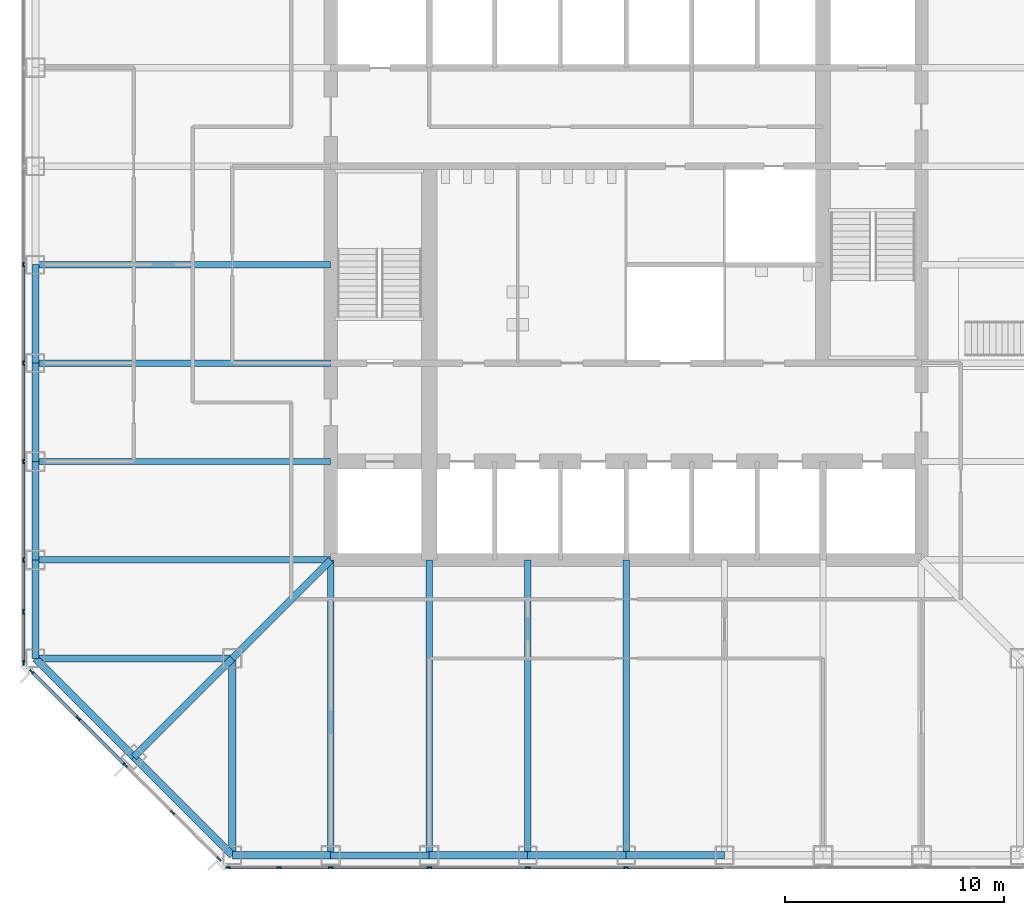
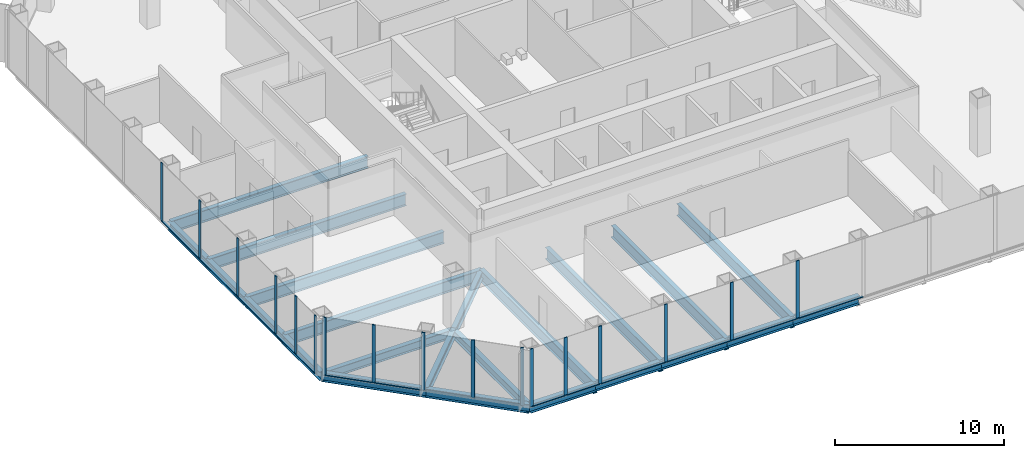
# One storey, part 2 of 12: 30 members, 23 beams, 3 elements without a shape of their own.
"""IFC4 building model written with IfcOpenShell, lengths in metres."""

import ifcopenshell
import ifcopenshell.guid

model = None  # the IFC model being written
_history = None  # IfcOwnerHistory: only IFC2X3 demands one
_inside = {}  # id of a spatial element -> (the spatial element, [elements in it])
_under = {}  # id of a project, library or spatial element -> (it, [spatial elements below it])
_declared = {}  # id of a project -> (the project, [libraries it declares])
_typed = {}  # id of a type object -> (the type object, [elements of that type])
_made_of = {}  # id of a material, layer set ... -> (it, [elements and type objects made of it])


def new_model(schema):
    """Start an empty IFC model of exactly this schema.

    Asked for "IFC4X3", IfcOpenShell would pick the latest addendum, in which some entities
    have other attributes; the version numbers below select the first issue.
    IFC2X3 requires an IfcOwnerHistory on every rooted entity: one is made here for all.
    """
    global model, _history
    if schema == "IFC4X3":
        model = ifcopenshell.file(schema_version=(4, 3, 0, 0))
    else:
        model = ifcopenshell.file(schema=schema)
    _inside.clear()
    _under.clear()
    _declared.clear()
    _typed.clear()
    _made_of.clear()
    _history = None
    if model.schema == "IFC2X3":
        org = make("IfcOrganization", Name="unknown")
        user = make(
            "IfcPersonAndOrganization",
            ThePerson=make("IfcPerson", FamilyName="unknown"),
            TheOrganization=org,
        )
        app = make(
            "IfcApplication",
            ApplicationDeveloper=org,
            Version="unknown",
            ApplicationFullName="unknown",
            ApplicationIdentifier="unknown",
        )
        _history = make(
            "IfcOwnerHistory",
            OwningUser=user,
            OwningApplication=app,
            ChangeAction="ADDED",
            CreationDate=0,
        )
    return model


def make(cls, **values):
    """One entity of the class cls with the attributes given. An attribute that is None is left unset."""
    return model.create_entity(
        cls, **{name: value for name, value in values.items() if value is not None}
    )


def rooted(cls, **values):
    """An entity with a GlobalId (a new one), such as an element, a storey or a relation."""
    return make(cls, GlobalId=ifcopenshell.guid.new(), OwnerHistory=_history, **values)


def si_unit(unit_type, name, prefix=None):
    """IfcSIUnit, for example si_unit("LENGTHUNIT", "METRE", prefix="MILLI")."""
    return make("IfcSIUnit", UnitType=unit_type, Prefix=prefix, Name=name)


def assignment(units):
    """IfcUnitAssignment: the units of a project."""
    return None if units is None else make("IfcUnitAssignment", Units=units)


def point(xyz):
    """IfcCartesianPoint."""
    return None if xyz is None else make("IfcCartesianPoint", Coordinates=xyz)


def direction(xyz):
    """IfcDirection."""
    return None if xyz is None else make("IfcDirection", DirectionRatios=xyz)


def frame(location, z_axis=None, x_axis=None):
    """IfcAxis2Placement3D, a coordinate frame: its origin and axes. An axis left out is left unset."""
    return make(
        "IfcAxis2Placement3D",
        Location=point(location),
        Axis=direction(z_axis),
        RefDirection=direction(x_axis),
    )


def frame_2d(location, x_axis=None):
    """IfcAxis2Placement2D, a coordinate frame in the plane: its origin and x axis."""
    return make(
        "IfcAxis2Placement2D", Location=point(location), RefDirection=direction(x_axis)
    )


def origin():
    """The frame at (0, 0, 0) with its axes left unset."""
    return frame((0.0, 0.0, 0.0))


def origin_2d():
    """The frame at (0, 0) in the plane with its x axis left unset."""
    return frame_2d((0.0, 0.0))


def place(relative_to, where):
    """IfcLocalPlacement: puts the frame where relative to a parent placement (None: the world)."""
    return make(
        "IfcLocalPlacement", PlacementRelTo=relative_to, RelativePlacement=where
    )


def context(
    kind, dimensions, precision=None, world=None, true_north=None, identifier=None
):
    """IfcGeometricRepresentationContext, for example the 3D "Model" context."""
    return make(
        "IfcGeometricRepresentationContext",
        ContextIdentifier=identifier,
        ContextType=kind,
        CoordinateSpaceDimension=dimensions,
        Precision=precision,
        WorldCoordinateSystem=world,
        TrueNorth=true_north,
    )


def subcontext(parent, identifier, kind, view, scale=None):
    """IfcGeometricRepresentationSubContext, for example "Body" below "Model"."""
    return make(
        "IfcGeometricRepresentationSubContext",
        ContextIdentifier=identifier,
        ContextType=kind,
        ParentContext=parent,
        TargetScale=scale,
        TargetView=view,
    )


def project(units=None, contexts=None):
    """IfcProject with its units and contexts."""
    return rooted(
        "IfcProject",
        Name="project",
        RepresentationContexts=contexts,
        UnitsInContext=assignment(units),
    )


def spatial(cls, under=None, at=None, **own):
    """A site, building, storey or space (cls), placed at a placement, below another one or the project."""
    s = rooted(cls, ObjectPlacement=at, **own)
    if under is not None:
        _under.setdefault(under.id(), (under, []))[1].append(s)
    return s


def profile(cls, at=None, kind="AREA", **sizes):
    """A parametric profile (cls). Its sizes go by their IFC names, for example OverallWidth=200.0."""
    return make(cls, ProfileType=kind, Position=at, **sizes)


def rectangle(**sizes):
    """IfcRectangleProfileDef."""
    return profile("IfcRectangleProfileDef", **sizes)


def i_section(**sizes):
    """IfcIShapeProfileDef."""
    return profile("IfcIShapeProfileDef", **sizes)


def extrude(swept, where, along, depth):
    """IfcExtrudedAreaSolid: the profile swept, set in the frame where, extruded along a direction by depth."""
    return make(
        "IfcExtrudedAreaSolid",
        SweptArea=swept,
        Position=where,
        ExtrudedDirection=direction(along),
        Depth=depth,
    )


def shape(context_of_items, identifier, shape_type, items):
    """IfcShapeRepresentation: the items that make up one representation, for example the "Body"."""
    return make(
        "IfcShapeRepresentation",
        ContextOfItems=context_of_items,
        RepresentationIdentifier=identifier,
        RepresentationType=shape_type,
        Items=items,
    )


def material(Name=None, Category=None):
    """IfcMaterial."""
    return make("IfcMaterial", Name=Name, Category=Category)


def material_profile(
    of_material, cross_section, Name=None, Category=None, Priority=None
):
    """IfcMaterialProfile: a cross section and its material."""
    return make(
        "IfcMaterialProfile",
        Name=Name,
        Material=of_material,
        Profile=cross_section,
        Priority=Priority,
        Category=Category,
    )


def profile_set(profiles, Name=None, composite=None):
    """IfcMaterialProfileSet."""
    return make(
        "IfcMaterialProfileSet",
        Name=Name,
        MaterialProfiles=profiles,
        CompositeProfile=composite,
    )


def made_of(thing, what):
    """Note that an element or type object is made of a material, layer set ...; save() writes the relation."""
    if what is not None:
        _made_of.setdefault(what.id(), (what, []))[1].append(thing)
    return thing


def type_object(cls, material=None, **own):
    """A type object (cls), such as IfcWallType, which elements share."""
    return made_of(rooted(cls, **own), material)


def element(
    cls,
    number,
    at=None,
    inside=None,
    cuts=None,
    type_object=None,
    material=None,
    context=None,
    identifier="Body",
    shape_type=None,
    held_by="IfcProductDefinitionShape",
    body=None,
    shapes=None,
    **own,
):
    """One element of the class cls, such as IfcWall. Its Tag is "e" and its number.

    at: its placement. inside: the storey or other place that contains it. cuts: it is an
    opening in that element (IfcRelVoidsElement). A single representation is given by context,
    identifier, shape_type and body (its items); several are given by shapes. held_by: the class
    of the entity that holds the representations. save() writes the other relations.
    """
    e = rooted(cls, Tag="e%d" % number, ObjectPlacement=at, **own)
    if body is not None:
        shapes = [shape(context, identifier, shape_type, body)]
    if shapes is not None:
        e.Representation = make(held_by, Representations=shapes)
    if inside is not None:
        _inside.setdefault(inside.id(), (inside, []))[1].append(e)
    if cuts is not None:
        rooted(
            "IfcRelVoidsElement", RelatingBuildingElement=cuts, RelatedOpeningElement=e
        )
    if type_object is not None:
        _typed.setdefault(type_object.id(), (type_object, []))[1].append(e)
    return made_of(e, material)


def aggregate(whole, parts):
    """IfcRelAggregates: a whole, such as a stair, and the parts it consists of."""
    return rooted("IfcRelAggregates", RelatingObject=whole, RelatedObjects=parts)


def save(model, path):
    """Write the relations noted so far, then the file.

    IfcRelAggregates (storeys below a building ...), IfcRelContainedInSpatialStructure (elements
    in a storey), IfcRelDefinesByType, IfcRelAssociatesMaterial and IfcRelDeclares: one each for
    every whole, place, type object, material and project.
    """
    for whole, parts in _under.values():
        aggregate(whole, parts)
    for where, things in _inside.values():
        rooted(
            "IfcRelContainedInSpatialStructure",
            RelatedElements=things,
            RelatingStructure=where,
        )
    for kind, things in _typed.values():
        rooted("IfcRelDefinesByType", RelatedObjects=things, RelatingType=kind)
    for what, things in _made_of.values():
        rooted("IfcRelAssociatesMaterial", RelatedObjects=things, RelatingMaterial=what)
    for by, libraries in _declared.values():
        rooted("IfcRelDeclares", RelatingContext=by, RelatedDefinitions=libraries)
    model.write(path)


model = new_model("IFC4")

# Units and contexts
model_context = context("Model", 3, precision=1e-05, world=origin(), true_north=direction((0.0, 1.0)))
body_context = subcontext(model_context, "Body", "Model", "MODEL_VIEW")
ifc_project = project(units=[si_unit("LENGTHUNIT", "METRE"), si_unit("AREAUNIT", "SQUARE_METRE"), si_unit("VOLUMEUNIT", "CUBIC_METRE"), si_unit("PLANEANGLEUNIT", "RADIAN"), si_unit("MASSUNIT", "GRAM", prefix="KILO")], contexts=[model_context])

# Site, building, storey
site_placement = place(None, origin())
site = spatial("IfcSite", under=ifc_project, at=site_placement, CompositionType="ELEMENT")
building_placement = place(site_placement, origin())
building = spatial("IfcBuilding", under=site, at=building_placement, Name="Corais Broadcast Tower", CompositionType="ELEMENT")
storey_placement = place(building_placement, frame((0.0, 0.0, 29.0)))
storey = spatial("IfcBuildingStorey", under=building, at=storey_placement, Name="L05", CompositionType="ELEMENT", Elevation=29.0)

# Beams
ifc_material_1 = material(Name="Steel ASTM A572 Grade 50", Category="steel")
ifc_material_profile_1 = material_profile(ifc_material_1, i_section(OverallWidth=0.323974609375, OverallDepth=0.611083984375, WebThickness=0.0126953125, FlangeThickness=0.01904296875, at=origin_2d()), Name="W610x155")
ifc_profile_set_1 = profile_set([ifc_material_profile_1], Name="Steel ASTM A572 Grade 50")
beam_type_1 = type_object("IfcBeamType", Name="Chamfer tie W610x155", PredefinedType="BEAM", material=ifc_profile_set_1)
beam_1_placement = place(storey_placement, frame((4.5, 4.5, -0.465576171875), z_axis=(0.707106781187, 0.707106781187, 0.0), x_axis=(-0.707106781187, 0.707106781187, 0.0)))
element("IfcBeam", 1, at=beam_1_placement, inside=storey, type_object=beam_type_1, Name="B5 B/4 to C/5", PredefinedType="BEAM", context=body_context, shape_type="SweptSolid", body=[
    extrude(i_section(OverallWidth=0.323974609375, OverallDepth=0.611083984375, WebThickness=0.0126953125, FlangeThickness=0.01904296875, at=origin_2d()), origin(), (0.0, 0.0, 1.0), 6.364013671875),
])
ifc_material_2 = material(Name="Steel ASTM A572 Grade 50", Category="steel")
ifc_material_profile_2 = material_profile(ifc_material_2, i_section(OverallWidth=0.323974609375, OverallDepth=0.611083984375, WebThickness=0.0126953125, FlangeThickness=0.01904296875, at=origin_2d()), Name="W610x155")
ifc_profile_set_2 = profile_set([ifc_material_profile_2], Name="Steel ASTM A572 Grade 50")
beam_type_2 = type_object("IfcBeamType", Name="Corner diagonal W610x155", PredefinedType="BEAM", material=ifc_profile_set_2)
beam_2_placement = place(storey_placement, frame((9.0, 9.0, -0.465576171875), z_axis=(0.707106781187, 0.707106781187, 0.0), x_axis=(-0.707106781187, 0.707106781187, 0.0)))
element("IfcBeam", 2, at=beam_2_placement, inside=storey, type_object=beam_type_2, Name="B6 C/5 to D/6", PredefinedType="BEAM", context=body_context, shape_type="SweptSolid", body=[
    extrude(i_section(OverallWidth=0.323974609375, OverallDepth=0.611083984375, WebThickness=0.0126953125, FlangeThickness=0.01904296875, at=origin_2d()), origin(), (0.0, 0.0, 1.0), 6.364013671875),
])
ifc_material_3 = material(Name="Steel ASTM A572 Grade 50", Category="steel")
ifc_material_profile_3 = material_profile(ifc_material_3, i_section(OverallWidth=0.323974609375, OverallDepth=0.611083984375, WebThickness=0.0126953125, FlangeThickness=0.01904296875, at=origin_2d()), Name="W610x155")
ifc_profile_set_3 = profile_set([ifc_material_profile_3], Name="Steel ASTM A572 Grade 50")
beam_type_3 = type_object("IfcBeamType", Name="Corner girder W610x155", PredefinedType="BEAM", material=ifc_profile_set_3)
for number, where, z_axis, x_axis, name in (
    (3, (0.0, 9.0, -0.465576171875), (1.0, 0.0, 0.0), (0.0, 1.0, 0.0), "B4 C/3 to C/5"),
    (4, (9.0, 0.0, -0.465576171875), (0.0, 1.0, 0.0), (-1.0, 0.0, 0.0), "B4 A/5 to C/5"),
):
    element("IfcBeam", number, at=place(storey_placement, frame(where, z_axis=z_axis, x_axis=x_axis)), inside=storey, type_object=beam_type_3, Name=name, PredefinedType="BEAM", context=body_context, shape_type="SweptSolid", body=[
        extrude(i_section(OverallWidth=0.323974609375, OverallDepth=0.611083984375, WebThickness=0.0126953125, FlangeThickness=0.01904296875, at=origin_2d()), origin(), (0.0, 0.0, 1.0), 9.0),
    ])
ifc_material_4 = material(Name="Steel ASTM A572 Grade 50", Category="steel")
ifc_material_profile_4 = material_profile(ifc_material_4, i_section(OverallWidth=0.2939453125, OverallDepth=0.85107421875, WebThickness=0.01611328125, FlangeThickness=0.02685546875, at=origin_2d()), Name="W840x226")
ifc_profile_set_4 = profile_set([ifc_material_profile_4], Name="Steel ASTM A572 Grade 50")
beam_type_4 = type_object("IfcBeamType", Name="Floor beam W840x226", PredefinedType="BEAM", material=ifc_profile_set_4)
for number, where, z_axis, x_axis, name in (
    (5, (0.0, 13.5, -0.58544921875), (1.0, 0.0, 0.0), (0.0, 1.0, 0.0), "B1 D/3 to D/6"),
    (6, (0.0, 18.0, -0.58544921875), (1.0, 0.0, 0.0), (0.0, 1.0, 0.0), "B1 E/3 to E/6"),
    (7, (0.0, 22.5, -0.58544921875), (1.0, 0.0, 0.0), (0.0, 1.0, 0.0), "B1 F/3 to F/6"),
    (8, (0.0, 27.0, -0.58544921875), (1.0, 0.0, 0.0), (0.0, 1.0, 0.0), "B1 G/3 to G/6"),
    (9, (13.5, 0.0, -0.58544921875), (0.0, 1.0, 0.0), (-1.0, 0.0, 0.0), "B1 A/6 to D/6"),
    (10, (18.0, 0.0, -0.58544921875), (0.0, 1.0, 0.0), (-1.0, 0.0, 0.0), "B1 A/7 to D/7"),
    (11, (22.5, 0.0, -0.58544921875), (0.0, 1.0, 0.0), (-1.0, 0.0, 0.0), "B1 A/8 to D/8"),
    (12, (27.0, 0.0, -0.58544921875), (0.0, 1.0, 0.0), (-1.0, 0.0, 0.0), "B1 A/9 to D/9"),
):
    element("IfcBeam", number, at=place(storey_placement, frame(where, z_axis=z_axis, x_axis=x_axis)), inside=storey, type_object=beam_type_4, Name=name, PredefinedType="BEAM", context=body_context, shape_type="SweptSolid", body=[
        extrude(i_section(OverallWidth=0.2939453125, OverallDepth=0.85107421875, WebThickness=0.01611328125, FlangeThickness=0.02685546875, at=origin_2d()), origin(), (0.0, 0.0, 1.0), 13.5),
    ])

# Curtain wall, members
ifc_material_5 = material(Name="Aluminium and glass", Category="aluminium")
curtain_wall_type = type_object("IfcCurtainWallType", Name="Newsroom clear-glass curtain wall CW7", PredefinedType="NOTDEFINED", material=ifc_material_5)
curtain_wall_1_placement = place(storey_placement, origin())
curtain_wall_1 = element("IfcCurtainWall", 13, at=curtain_wall_1_placement, inside=storey, type_object=curtain_wall_type, Name="CW7 curtain wall L05 1", PredefinedType="NOTDEFINED")
ifc_material_6 = material(Name="Aluminium 6063-T6", Category="aluminium")
ifc_material_profile_5 = material_profile(ifc_material_6, rectangle(XDim=0.06494140625, YDim=0.219970703125, at=origin_2d()), Name="Mullion CW7 65x220")
ifc_profile_set_5 = profile_set([ifc_material_profile_5], Name="Aluminium 6063-T6")
member_type_1 = type_object("IfcMemberType", Name="Mullion CW7 65x220", PredefinedType="MULLION", material=ifc_profile_set_5)
member_1_placement = place(storey_placement, frame((8.3955078125, -0.17333984375, 0.0), z_axis=(0.0, 0.0, 1.0), x_axis=(-0.707106781187, -0.707106781187, 0.0)))
member_1 = element("IfcMember", 14, at=member_1_placement, type_object=member_type_1, Name="CW7 mullion 1", PredefinedType="MULLION", context=body_context, shape_type="SweptSolid", body=[
    extrude(rectangle(XDim=0.06494140625, YDim=0.219970703125, at=origin_2d()), origin(), (0.0, 0.0, 1.0), 4.199951171875),
])
member_2_placement = place(storey_placement, frame((6.264892578125, 1.957275390625, 0.0), z_axis=(0.0, 0.0, 1.0), x_axis=(-0.707106781187, -0.707106781187, 0.0)))
member_2 = element("IfcMember", 15, at=member_2_placement, type_object=member_type_1, Name="CW7 mullion 2", PredefinedType="MULLION", context=body_context, shape_type="SweptSolid", body=[
    extrude(rectangle(XDim=0.06494140625, YDim=0.219970703125, at=origin_2d()), origin(), (0.0, 0.0, 1.0), 4.199951171875),
])
member_3_placement = place(storey_placement, frame((4.111083984375, 4.111083984375, 0.0), z_axis=(0.0, 0.0, 1.0), x_axis=(-0.707106781187, -0.707106781187, 0.0)))
member_3 = element("IfcMember", 16, at=member_3_placement, type_object=member_type_1, Name="CW7 mullion 3", PredefinedType="MULLION", context=body_context, shape_type="SweptSolid", body=[
    extrude(rectangle(XDim=0.06494140625, YDim=0.219970703125, at=origin_2d()), origin(), (0.0, 0.0, 1.0), 4.199951171875),
])
member_4_placement = place(storey_placement, frame((1.957275390625, 6.264892578125, 0.0), z_axis=(0.0, 0.0, 1.0), x_axis=(-0.707106781187, -0.707106781187, 0.0)))
member_4 = element("IfcMember", 17, at=member_4_placement, type_object=member_type_1, Name="CW7 mullion 4", PredefinedType="MULLION", context=body_context, shape_type="SweptSolid", body=[
    extrude(rectangle(XDim=0.06494140625, YDim=0.219970703125, at=origin_2d()), origin(), (0.0, 0.0, 1.0), 4.199951171875),
])
member_5_placement = place(storey_placement, frame((-0.17333984375, 8.3955078125, 0.0), z_axis=(0.0, 0.0, 1.0), x_axis=(-0.707106781187, -0.707106781187, 0.0)))
member_5 = element("IfcMember", 18, at=member_5_placement, type_object=member_type_1, Name="CW7 mullion 5", PredefinedType="MULLION", context=body_context, shape_type="SweptSolid", body=[
    extrude(rectangle(XDim=0.06494140625, YDim=0.219970703125, at=origin_2d()), origin(), (0.0, 0.0, 1.0), 4.199951171875),
])

curtain_wall_2_placement = place(storey_placement, origin())
curtain_wall_2 = element("IfcCurtainWall", 19, at=curtain_wall_2_placement, inside=storey, type_object=curtain_wall_type, Name="CW7 curtain wall L05 2", PredefinedType="NOTDEFINED")
member_6_placement = place(storey_placement, frame((-0.550048828125, 8.8046875, 0.0), z_axis=(0.0, 0.0, 1.0), x_axis=(-1.0, 0.0, 0.0)))
member_6 = element("IfcMember", 20, at=member_6_placement, type_object=member_type_1, Name="CW7 mullion 1", PredefinedType="MULLION", context=body_context, shape_type="SweptSolid", body=[
    extrude(rectangle(XDim=0.06494140625, YDim=0.219970703125, at=origin_2d()), origin(), (0.0, 0.0, 1.0), 4.199951171875),
])
member_7_placement = place(storey_placement, frame((-0.550048828125, 11.135986328125, 0.0), z_axis=(0.0, 0.0, 1.0), x_axis=(-1.0, 0.0, 0.0)))
member_7 = element("IfcMember", 21, at=member_7_placement, type_object=member_type_1, Name="CW7 mullion 2", PredefinedType="MULLION", context=body_context, shape_type="SweptSolid", body=[
    extrude(rectangle(XDim=0.06494140625, YDim=0.219970703125, at=origin_2d()), origin(), (0.0, 0.0, 1.0), 4.199951171875),
])
member_8_placement = place(storey_placement, frame((-0.550048828125, 13.5, 0.0), z_axis=(0.0, 0.0, 1.0), x_axis=(-1.0, 0.0, 0.0)))
member_8 = element("IfcMember", 22, at=member_8_placement, type_object=member_type_1, Name="CW7 mullion 3", PredefinedType="MULLION", context=body_context, shape_type="SweptSolid", body=[
    extrude(rectangle(XDim=0.06494140625, YDim=0.219970703125, at=origin_2d()), origin(), (0.0, 0.0, 1.0), 4.199951171875),
])
member_9_placement = place(storey_placement, frame((-0.550048828125, 18.0, 0.0), z_axis=(0.0, 0.0, 1.0), x_axis=(-1.0, 0.0, 0.0)))
member_9 = element("IfcMember", 23, at=member_9_placement, type_object=member_type_1, Name="CW7 mullion 4", PredefinedType="MULLION", context=body_context, shape_type="SweptSolid", body=[
    extrude(rectangle(XDim=0.06494140625, YDim=0.219970703125, at=origin_2d()), origin(), (0.0, 0.0, 1.0), 4.199951171875),
])
member_10_placement = place(storey_placement, frame((-0.550048828125, 22.5, 0.0), z_axis=(0.0, 0.0, 1.0), x_axis=(-1.0, 0.0, 0.0)))
member_10 = element("IfcMember", 24, at=member_10_placement, type_object=member_type_1, Name="CW7 mullion 5", PredefinedType="MULLION", context=body_context, shape_type="SweptSolid", body=[
    extrude(rectangle(XDim=0.06494140625, YDim=0.219970703125, at=origin_2d()), origin(), (0.0, 0.0, 1.0), 4.199951171875),
])
member_11_placement = place(storey_placement, frame((-0.550048828125, 27.0, 0.0), z_axis=(0.0, 0.0, 1.0), x_axis=(-1.0, 0.0, 0.0)))
member_11 = element("IfcMember", 25, at=member_11_placement, type_object=member_type_1, Name="CW7 mullion 6", PredefinedType="MULLION", context=body_context, shape_type="SweptSolid", body=[
    extrude(rectangle(XDim=0.06494140625, YDim=0.219970703125, at=origin_2d()), origin(), (0.0, 0.0, 1.0), 4.199951171875),
])

curtain_wall_3_placement = place(storey_placement, origin())
curtain_wall_3 = element("IfcCurtainWall", 26, at=curtain_wall_3_placement, inside=storey, type_object=curtain_wall_type, Name="CW7 curtain wall L05 8", PredefinedType="NOTDEFINED")
member_12_placement = place(storey_placement, frame((27.0, -0.550048828125, 0.0), z_axis=(0.0, 0.0, 1.0), x_axis=(0.0, -1.0, 0.0)))
member_12 = element("IfcMember", 27, at=member_12_placement, type_object=member_type_1, Name="CW7 mullion 6", PredefinedType="MULLION", context=body_context, shape_type="SweptSolid", body=[
    extrude(rectangle(XDim=0.06494140625, YDim=0.219970703125, at=origin_2d()), origin(), (0.0, 0.0, 1.0), 4.199951171875),
])
member_13_placement = place(storey_placement, frame((22.5, -0.550048828125, 0.0), z_axis=(0.0, 0.0, 1.0), x_axis=(0.0, -1.0, 0.0)))
member_13 = element("IfcMember", 28, at=member_13_placement, type_object=member_type_1, Name="CW7 mullion 7", PredefinedType="MULLION", context=body_context, shape_type="SweptSolid", body=[
    extrude(rectangle(XDim=0.06494140625, YDim=0.219970703125, at=origin_2d()), origin(), (0.0, 0.0, 1.0), 4.199951171875),
])
member_14_placement = place(storey_placement, frame((18.0, -0.550048828125, 0.0), z_axis=(0.0, 0.0, 1.0), x_axis=(0.0, -1.0, 0.0)))
member_14 = element("IfcMember", 29, at=member_14_placement, type_object=member_type_1, Name="CW7 mullion 8", PredefinedType="MULLION", context=body_context, shape_type="SweptSolid", body=[
    extrude(rectangle(XDim=0.06494140625, YDim=0.219970703125, at=origin_2d()), origin(), (0.0, 0.0, 1.0), 4.199951171875),
])
member_15_placement = place(storey_placement, frame((13.5, -0.550048828125, 0.0), z_axis=(0.0, 0.0, 1.0), x_axis=(0.0, -1.0, 0.0)))
member_15 = element("IfcMember", 30, at=member_15_placement, type_object=member_type_1, Name="CW7 mullion 9", PredefinedType="MULLION", context=body_context, shape_type="SweptSolid", body=[
    extrude(rectangle(XDim=0.06494140625, YDim=0.219970703125, at=origin_2d()), origin(), (0.0, 0.0, 1.0), 4.199951171875),
])
member_16_placement = place(storey_placement, frame((11.135986328125, -0.550048828125, 0.0), z_axis=(0.0, 0.0, 1.0), x_axis=(0.0, -1.0, 0.0)))
member_16 = element("IfcMember", 31, at=member_16_placement, type_object=member_type_1, Name="CW7 mullion 10", PredefinedType="MULLION", context=body_context, shape_type="SweptSolid", body=[
    extrude(rectangle(XDim=0.06494140625, YDim=0.219970703125, at=origin_2d()), origin(), (0.0, 0.0, 1.0), 4.199951171875),
])
member_17_placement = place(storey_placement, frame((8.8046875, -0.550048828125, 0.0), z_axis=(0.0, 0.0, 1.0), x_axis=(0.0, -1.0, 0.0)))
member_17 = element("IfcMember", 32, at=member_17_placement, type_object=member_type_1, Name="CW7 mullion 11", PredefinedType="MULLION", context=body_context, shape_type="SweptSolid", body=[
    extrude(rectangle(XDim=0.06494140625, YDim=0.219970703125, at=origin_2d()), origin(), (0.0, 0.0, 1.0), 4.199951171875),
])

# Beams
ifc_material_7 = material(Name="Steel ASTM A572 Grade 50", Category="steel")
ifc_material_profile_6 = material_profile(ifc_material_7, i_section(OverallWidth=0.323974609375, OverallDepth=0.611083984375, WebThickness=0.0126953125, FlangeThickness=0.01904296875, at=origin_2d()), Name="W610x155")
ifc_profile_set_6 = profile_set([ifc_material_profile_6], Name="Steel ASTM A572 Grade 50")
beam_type_5 = type_object("IfcBeamType", Name="Pinned spandrel W610x155", PredefinedType="BEAM", material=ifc_profile_set_6)
for number, where, z_axis, x_axis, name in (
    (33, (0.0, 18.0, -0.465576171875), (0.0, -1.0, 0.0), (1.0, 0.0, 0.0), "SB6 E/3 to D/3"),
    (34, (13.5, 0.0, -0.465576171875), (1.0, 0.0, 0.0), (0.0, 1.0, 0.0), "SB6 A/6 to A/7"),
):
    element("IfcBeam", number, at=place(storey_placement, frame(where, z_axis=z_axis, x_axis=x_axis)), inside=storey, type_object=beam_type_5, Name=name, PredefinedType="BEAM", context=body_context, shape_type="SweptSolid", body=[
        extrude(i_section(OverallWidth=0.323974609375, OverallDepth=0.611083984375, WebThickness=0.0126953125, FlangeThickness=0.01904296875, at=origin_2d()), origin(), (0.0, 0.0, 1.0), 4.5),
    ])
ifc_material_8 = material(Name="Steel ASTM A572 Grade 50", Category="steel")
ifc_material_profile_7 = material_profile(ifc_material_8, i_section(OverallWidth=0.3291015625, OverallDepth=0.635009765625, WebThickness=0.017822265625, FlangeThickness=0.031005859375, at=origin_2d()), Name="W610x241")
ifc_profile_set_7 = profile_set([ifc_material_profile_7], Name="Steel ASTM A572 Grade 50")
beam_type_6 = type_object("IfcBeamType", Name="Spandrel W610x241", PredefinedType="BEAM", material=ifc_profile_set_7)
for number, where, z_axis, x_axis, name in (
    (35, (0.0, 13.5, -0.4775390625), (0.0, -1.0, 0.0), (1.0, 0.0, 0.0), "SB1 D/3 to C/3"),
    (36, (0.0, 22.5, -0.4775390625), (0.0, -1.0, 0.0), (1.0, 0.0, 0.0), "SB1 F/3 to E/3"),
    (37, (0.0, 27.0, -0.4775390625), (0.0, -1.0, 0.0), (1.0, 0.0, 0.0), "SB1 G/3 to F/3"),
):
    element("IfcBeam", number, at=place(storey_placement, frame(where, z_axis=z_axis, x_axis=x_axis)), inside=storey, type_object=beam_type_6, Name=name, PredefinedType="BEAM", context=body_context, shape_type="SweptSolid", body=[
        extrude(i_section(OverallWidth=0.3291015625, OverallDepth=0.635009765625, WebThickness=0.017822265625, FlangeThickness=0.031005859375, at=origin_2d()), origin(), (0.0, 0.0, 1.0), 4.5),
    ])
beam_3_placement = place(storey_placement, frame((0.0, 9.0, -0.4775390625), z_axis=(0.707106781187, -0.707106781187, 0.0), x_axis=(0.707106781187, 0.707106781187, 0.0)))
element("IfcBeam", 38, at=beam_3_placement, inside=storey, type_object=beam_type_6, Name="SB1 C/3 to B/4", PredefinedType="BEAM", context=body_context, shape_type="SweptSolid", body=[
    extrude(i_section(OverallWidth=0.3291015625, OverallDepth=0.635009765625, WebThickness=0.017822265625, FlangeThickness=0.031005859375, at=origin_2d()), origin(), (0.0, 0.0, 1.0), 6.364013671875),
])
for number, where, z_axis, x_axis, name in (
    (39, (18.0, 0.0, -0.4775390625), (1.0, 0.0, 0.0), (0.0, 1.0, 0.0), "SB1 A/7 to A/8"),
    (40, (22.5, 0.0, -0.4775390625), (1.0, 0.0, 0.0), (0.0, 1.0, 0.0), "SB1 A/8 to A/9"),
    (41, (27.0, 0.0, -0.4775390625), (1.0, 0.0, 0.0), (0.0, 1.0, 0.0), "SB1 A/9 to A/10"),
):
    element("IfcBeam", number, at=place(storey_placement, frame(where, z_axis=z_axis, x_axis=x_axis)), inside=storey, type_object=beam_type_6, Name=name, PredefinedType="BEAM", context=body_context, shape_type="SweptSolid", body=[
        extrude(i_section(OverallWidth=0.3291015625, OverallDepth=0.635009765625, WebThickness=0.017822265625, FlangeThickness=0.031005859375, at=origin_2d()), origin(), (0.0, 0.0, 1.0), 4.5),
    ])
beam_4_placement = place(storey_placement, frame((4.5, 4.5, -0.4775390625), z_axis=(0.707106781187, -0.707106781187, 0.0), x_axis=(0.707106781187, 0.707106781187, 0.0)))
element("IfcBeam", 42, at=beam_4_placement, inside=storey, type_object=beam_type_6, Name="SB1 B/4 to A/5", PredefinedType="BEAM", context=body_context, shape_type="SweptSolid", body=[
    extrude(i_section(OverallWidth=0.3291015625, OverallDepth=0.635009765625, WebThickness=0.017822265625, FlangeThickness=0.031005859375, at=origin_2d()), origin(), (0.0, 0.0, 1.0), 6.364013671875),
])
beam_5_placement = place(storey_placement, frame((9.0, 0.0, -0.4775390625), z_axis=(1.0, 0.0, 0.0), x_axis=(0.0, 1.0, 0.0)))
element("IfcBeam", 43, at=beam_5_placement, inside=storey, type_object=beam_type_6, Name="SB1 A/5 to A/6", PredefinedType="BEAM", context=body_context, shape_type="SweptSolid", body=[
    extrude(i_section(OverallWidth=0.3291015625, OverallDepth=0.635009765625, WebThickness=0.017822265625, FlangeThickness=0.031005859375, at=origin_2d()), origin(), (0.0, 0.0, 1.0), 4.5),
])

# Member
ifc_material_9 = material(Name="Aluminium 6063-T6", Category="aluminium")
ifc_material_profile_8 = material_profile(ifc_material_9, rectangle(XDim=0.14990234375, YDim=0.06494140625, at=origin_2d()), Name="Transom CW7 65x150")
ifc_profile_set_8 = profile_set([ifc_material_profile_8], Name="Aluminium 6063-T6")
member_type_2 = type_object("IfcMemberType", Name="Transom CW7 65x150", PredefinedType="USERDEFINED", material=ifc_profile_set_8)
member_18_placement = place(storey_placement, frame((4.088134765625, 4.134033203125, 0.032470703125), z_axis=(-0.707106781187, 0.707106781187, 0.0), x_axis=(-0.707106781187, -0.707106781187, 0.0)))
member_18 = element("IfcMember", 44, at=member_18_placement, type_object=member_type_2, Name="CW7 transom 3.1", ObjectType="TRANSOM", PredefinedType="USERDEFINED", context=body_context, shape_type="SweptSolid", body=[
    extrude(rectangle(XDim=0.14990234375, YDim=0.06494140625, at=origin_2d()), origin(), (0.0, 0.0, 1.0), 2.98095703125),
])

member_19_placement = place(storey_placement, frame((1.934326171875, 6.287841796875, 0.032470703125), z_axis=(-0.707106781187, 0.707106781187, 0.0), x_axis=(-0.707106781187, -0.707106781187, 0.0)))
member_19 = element("IfcMember", 45, at=member_19_placement, type_object=member_type_2, Name="CW7 transom 4.1", ObjectType="TRANSOM", PredefinedType="USERDEFINED", context=body_context, shape_type="SweptSolid", body=[
    extrude(rectangle(XDim=0.14990234375, YDim=0.06494140625, at=origin_2d()), origin(), (0.0, 0.0, 1.0), 2.9482421875),
])

aggregate(curtain_wall_1, [member_1, member_2, member_3, member_4, member_5, member_18, member_19])

member_20_placement = place(storey_placement, frame((-0.550048828125, 8.837158203125, 0.032470703125), z_axis=(0.0, 1.0, 0.0), x_axis=(-1.0, 0.0, 0.0)))
member_20 = element("IfcMember", 46, at=member_20_placement, type_object=member_type_2, Name="CW7 transom 1.1", ObjectType="TRANSOM", PredefinedType="USERDEFINED", context=body_context, shape_type="SweptSolid", body=[
    extrude(rectangle(XDim=0.14990234375, YDim=0.06494140625, at=origin_2d()), origin(), (0.0, 0.0, 1.0), 2.266357421875),
])

member_21_placement = place(storey_placement, frame((-0.550048828125, 11.168701171875, 0.032470703125), z_axis=(0.0, 1.0, 0.0), x_axis=(-1.0, 0.0, 0.0)))
member_21 = element("IfcMember", 47, at=member_21_placement, type_object=member_type_2, Name="CW7 transom 2.1", ObjectType="TRANSOM", PredefinedType="USERDEFINED", context=body_context, shape_type="SweptSolid", body=[
    extrude(rectangle(XDim=0.14990234375, YDim=0.06494140625, at=origin_2d()), origin(), (0.0, 0.0, 1.0), 2.298828125),
])

member_22_placement = place(storey_placement, frame((-0.550048828125, 13.532470703125, 0.032470703125), z_axis=(0.0, 1.0, 0.0), x_axis=(-1.0, 0.0, 0.0)))
member_22 = element("IfcMember", 48, at=member_22_placement, type_object=member_type_2, Name="CW7 transom 3.1", ObjectType="TRANSOM", PredefinedType="USERDEFINED", context=body_context, shape_type="SweptSolid", body=[
    extrude(rectangle(XDim=0.14990234375, YDim=0.06494140625, at=origin_2d()), origin(), (0.0, 0.0, 1.0), 4.43505859375),
])

member_23_placement = place(storey_placement, frame((-0.550048828125, 18.032470703125, 0.032470703125), z_axis=(0.0, 1.0, 0.0), x_axis=(-1.0, 0.0, 0.0)))
member_23 = element("IfcMember", 49, at=member_23_placement, type_object=member_type_2, Name="CW7 transom 4.1", ObjectType="TRANSOM", PredefinedType="USERDEFINED", context=body_context, shape_type="SweptSolid", body=[
    extrude(rectangle(XDim=0.14990234375, YDim=0.06494140625, at=origin_2d()), origin(), (0.0, 0.0, 1.0), 4.43505859375),
])

member_24_placement = place(storey_placement, frame((-0.550048828125, 22.532470703125, 0.032470703125), z_axis=(0.0, 1.0, 0.0), x_axis=(-1.0, 0.0, 0.0)))
member_24 = element("IfcMember", 50, at=member_24_placement, type_object=member_type_2, Name="CW7 transom 5.1", ObjectType="TRANSOM", PredefinedType="USERDEFINED", context=body_context, shape_type="SweptSolid", body=[
    extrude(rectangle(XDim=0.14990234375, YDim=0.06494140625, at=origin_2d()), origin(), (0.0, 0.0, 1.0), 4.43505859375),
])

aggregate(curtain_wall_2, [member_6, member_7, member_8, member_9, member_10, member_11, member_20, member_21, member_22, member_23, member_24])

member_25_placement = place(storey_placement, frame((31.467529296875, -0.550048828125, 0.032470703125), z_axis=(-1.0, 0.0, 0.0), x_axis=(0.0, -1.0, 0.0)))
member_25 = element("IfcMember", 51, at=member_25_placement, type_object=member_type_2, Name="CW7 transom 5.1", ObjectType="TRANSOM", PredefinedType="USERDEFINED", context=body_context, shape_type="SweptSolid", body=[
    extrude(rectangle(XDim=0.14990234375, YDim=0.06494140625, at=origin_2d()), origin(), (0.0, 0.0, 1.0), 4.43505859375),
])

member_26_placement = place(storey_placement, frame((26.967529296875, -0.550048828125, 0.032470703125), z_axis=(-1.0, 0.0, 0.0), x_axis=(0.0, -1.0, 0.0)))
member_26 = element("IfcMember", 52, at=member_26_placement, type_object=member_type_2, Name="CW7 transom 6.1", ObjectType="TRANSOM", PredefinedType="USERDEFINED", context=body_context, shape_type="SweptSolid", body=[
    extrude(rectangle(XDim=0.14990234375, YDim=0.06494140625, at=origin_2d()), origin(), (0.0, 0.0, 1.0), 4.43505859375),
])

member_27_placement = place(storey_placement, frame((22.467529296875, -0.550048828125, 0.032470703125), z_axis=(-1.0, 0.0, 0.0), x_axis=(0.0, -1.0, 0.0)))
member_27 = element("IfcMember", 53, at=member_27_placement, type_object=member_type_2, Name="CW7 transom 7.1", ObjectType="TRANSOM", PredefinedType="USERDEFINED", context=body_context, shape_type="SweptSolid", body=[
    extrude(rectangle(XDim=0.14990234375, YDim=0.06494140625, at=origin_2d()), origin(), (0.0, 0.0, 1.0), 4.43505859375),
])

member_28_placement = place(storey_placement, frame((17.967529296875, -0.550048828125, 0.032470703125), z_axis=(-1.0, 0.0, 0.0), x_axis=(0.0, -1.0, 0.0)))
member_28 = element("IfcMember", 54, at=member_28_placement, type_object=member_type_2, Name="CW7 transom 8.1", ObjectType="TRANSOM", PredefinedType="USERDEFINED", context=body_context, shape_type="SweptSolid", body=[
    extrude(rectangle(XDim=0.14990234375, YDim=0.06494140625, at=origin_2d()), origin(), (0.0, 0.0, 1.0), 4.43505859375),
])

member_29_placement = place(storey_placement, frame((13.467529296875, -0.550048828125, 0.032470703125), z_axis=(-1.0, 0.0, 0.0), x_axis=(0.0, -1.0, 0.0)))
member_29 = element("IfcMember", 55, at=member_29_placement, type_object=member_type_2, Name="CW7 transom 9.1", ObjectType="TRANSOM", PredefinedType="USERDEFINED", context=body_context, shape_type="SweptSolid", body=[
    extrude(rectangle(XDim=0.14990234375, YDim=0.06494140625, at=origin_2d()), origin(), (0.0, 0.0, 1.0), 2.298828125),
])

member_30_placement = place(storey_placement, frame((11.103515625, -0.550048828125, 0.032470703125), z_axis=(-1.0, 0.0, 0.0), x_axis=(0.0, -1.0, 0.0)))
member_30 = element("IfcMember", 56, at=member_30_placement, type_object=member_type_2, Name="CW7 transom 10.1", ObjectType="TRANSOM", PredefinedType="USERDEFINED", context=body_context, shape_type="SweptSolid", body=[
    extrude(rectangle(XDim=0.14990234375, YDim=0.06494140625, at=origin_2d()), origin(), (0.0, 0.0, 1.0), 2.266357421875),
])

aggregate(curtain_wall_3, [member_12, member_13, member_14, member_15, member_16, member_17, member_25, member_26, member_27, member_28, member_29, member_30])

save(model, "model.ifc")
